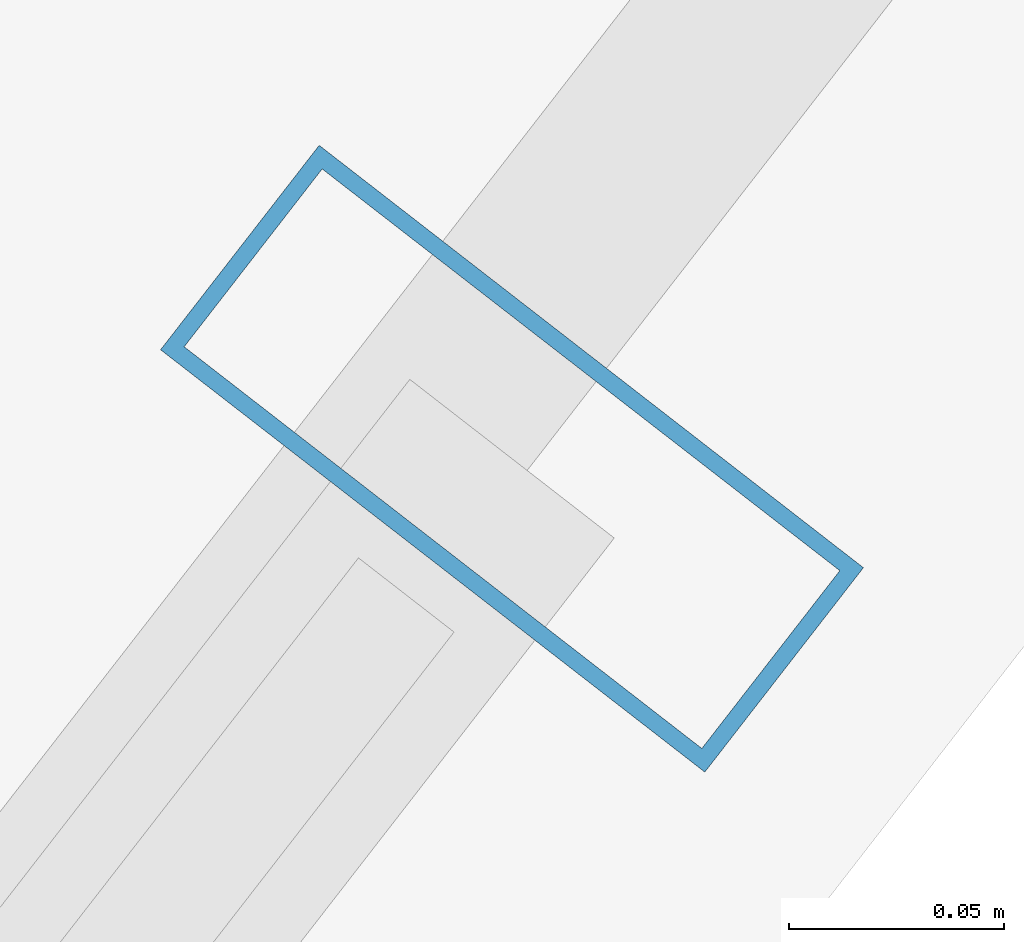
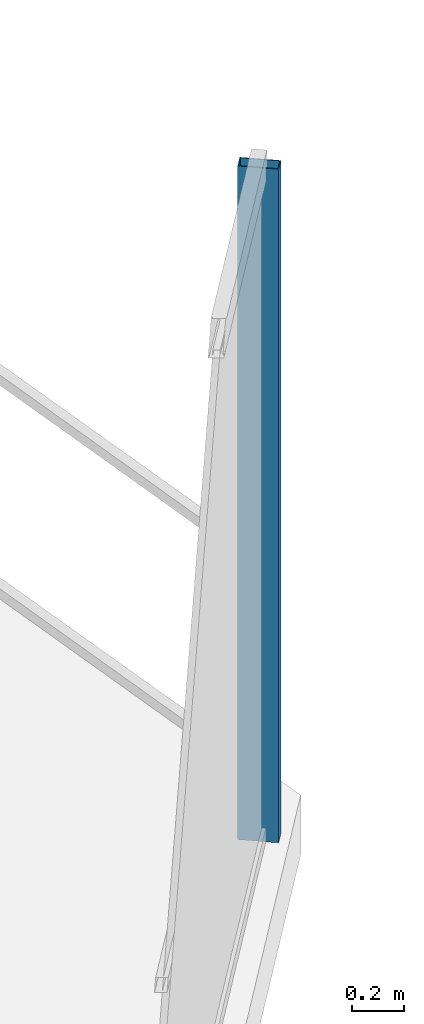
# One storey, part 15 of 30: 1 member, 1 element without a shape of its own.
"""IFC4 building model written with IfcOpenShell, lengths in metres."""

from ifc_helpers import new_model, si_unit, direction, frame, origin, origin_2d, place, context, subcontext, project, spatial, hollow_rectangle, extrude, material, layer, layer_set, material_profile, profile_set, type_object, element, aggregate, save


model = new_model("IFC4")

# Units and contexts
model_context = context("Model", 3, precision=1e-05, world=origin(), true_north=direction((0.0, 1.0)))
body_context = subcontext(model_context, "Body", "Model", "MODEL_VIEW")
ifc_project = project(units=[si_unit("LENGTHUNIT", "METRE"), si_unit("AREAUNIT", "SQUARE_METRE"), si_unit("VOLUMEUNIT", "CUBIC_METRE"), si_unit("PLANEANGLEUNIT", "RADIAN"), si_unit("MASSUNIT", "GRAM", prefix="KILO")], contexts=[model_context])

# Site, building, storey
site_placement = place(None, origin())
site = spatial("IfcSite", under=ifc_project, at=site_placement, CompositionType="ELEMENT")
building_placement = place(site_placement, origin())
building = spatial("IfcBuilding", under=site, at=building_placement, Name="Qarnah Convention Tower", CompositionType="ELEMENT")
storey_placement = place(building_placement, frame((0.0, 0.0, 40.800048828125)))
storey = spatial("IfcBuildingStorey", under=building, at=storey_placement, Name="L09", CompositionType="ELEMENT", Elevation=40.800048828125)

# Curtain wall, member
ifc_material_1 = material(Name="Tempered Low-E dark glass", Category="glass")
ifc_layer = layer(ifc_material_1, 0.16796875)
ifc_layer_set = layer_set([ifc_layer], Name="Tempered Low-E dark glass")
curtain_wall_type = type_object("IfcCurtainWallType", Name="CWS-01", PredefinedType="NOTDEFINED", material=ifc_layer_set)
curtain_wall_placement = place(storey_placement, origin())
curtain_wall = element("IfcCurtainWall", 1, at=curtain_wall_placement, inside=storey, type_object=curtain_wall_type, Name="L09 unitised curtain wall CW-L09-F3", PredefinedType="NOTDEFINED")
ifc_material_2 = material(Name="Black anodised aluminium", Category="aluminium")
ifc_material_profile = material_profile(ifc_material_2, hollow_rectangle(XDim=0.06005859375, YDim=0.159912109375, WallThickness=0.00390625, at=origin_2d()), Name="MUL-60X160")
ifc_profile_set = profile_set([ifc_material_profile], Name="Black anodised aluminium")
member_type = type_object("IfcMemberType", Name="MUL-T1", PredefinedType="MULLION", material=ifc_profile_set)
member_placement = place(storey_placement, frame((64.31396484375, 28.527099609375, 0.0), z_axis=(0.0, 0.0, 1.0), x_axis=(-0.613064422179, -0.790032919731, 0.0)))
member = element("IfcMember", 2, at=member_placement, type_object=member_type, Name="CW-L09-F3 mullion 1", PredefinedType="MULLION", context=body_context, shape_type="SweptSolid", body=[
    extrude(hollow_rectangle(XDim=0.06005859375, YDim=0.159912109375, WallThickness=0.00390625, at=origin_2d()), origin(), (0.0, 0.0, 1.0), 3.169921875),
])
aggregate(curtain_wall, [member])

save(model, "model.ifc")
